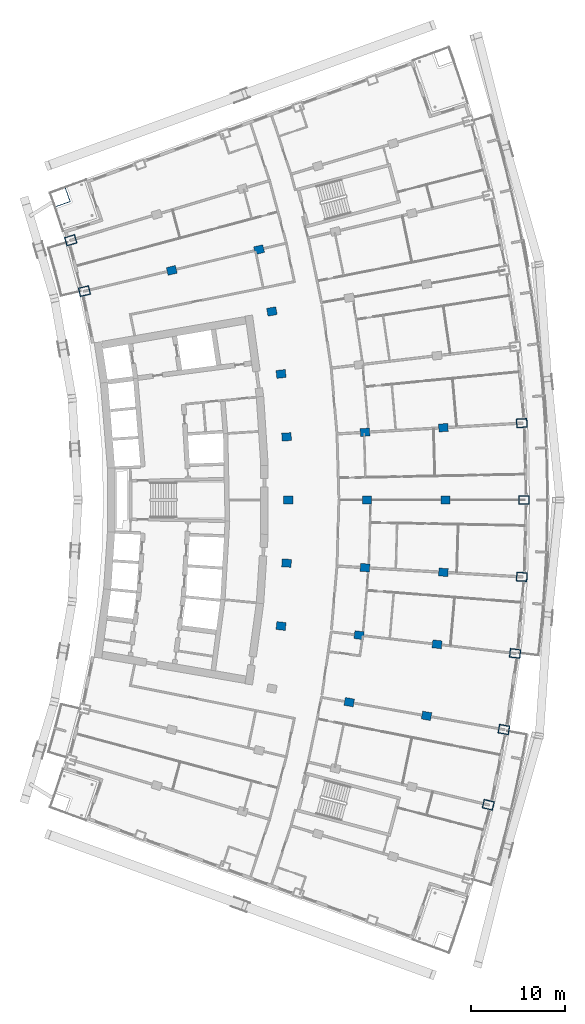
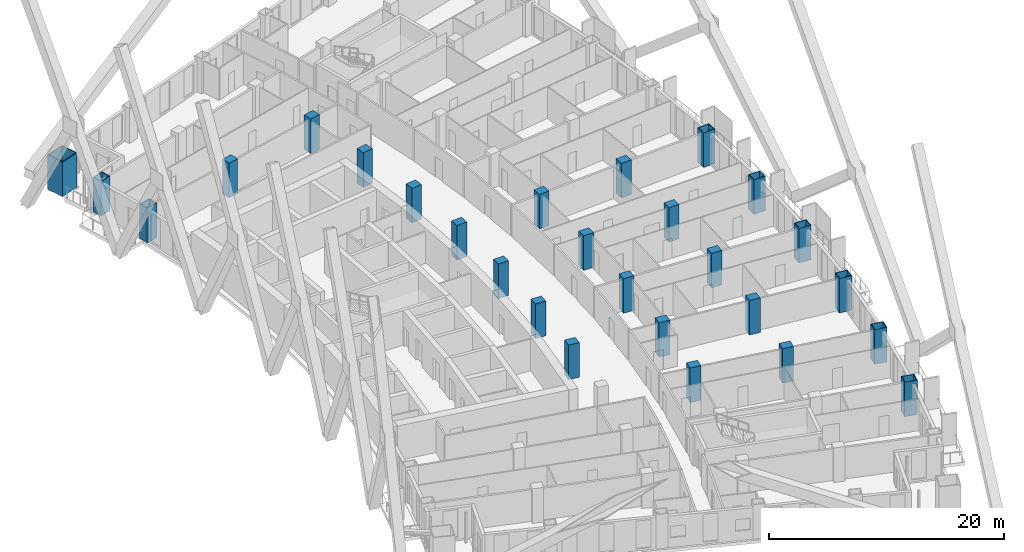
# One storey, part 5 of 24: 27 columns.
"""IFC4 building model written with IfcOpenShell, lengths in metres."""

from ifc_helpers import new_model, si_unit, direction, frame, origin, origin_2d, place, context, subcontext, project, spatial, rectangle, hollow_rectangle, extrude, material, material_profile, profile_set, type_object, element, save


model = new_model("IFC4")

# Units and contexts
model_context = context("Model", 3, precision=1e-05, world=origin(), true_north=direction((0.0, 1.0)))
body_context = subcontext(model_context, "Body", "Model", "MODEL_VIEW")
ifc_project = project(units=[si_unit("LENGTHUNIT", "METRE"), si_unit("AREAUNIT", "SQUARE_METRE"), si_unit("VOLUMEUNIT", "CUBIC_METRE"), si_unit("PLANEANGLEUNIT", "RADIAN"), si_unit("MASSUNIT", "GRAM", prefix="KILO")], contexts=[model_context])

# Site, building, storey
site_placement = place(None, origin())
site = spatial("IfcSite", under=ifc_project, at=site_placement, CompositionType="ELEMENT")
building_placement = place(site_placement, origin())
building = spatial("IfcBuilding", under=site, at=building_placement, Name="Alderwake Tower", CompositionType="ELEMENT")
storey_placement = place(building_placement, frame((0.0, 0.0, 104.0)))
storey = spatial("IfcBuildingStorey", under=building, at=storey_placement, Name="L25", CompositionType="ELEMENT", Elevation=104.0)

# Columns
ifc_material_1 = material(Name="Concrete C70/85", Category="concrete")
ifc_material_profile_1 = material_profile(ifc_material_1, rectangle(XDim=0.85009765625, YDim=1.0, at=origin_2d()), Name="RC 1000X850")
ifc_profile_set_1 = profile_set([ifc_material_profile_1], Name="Concrete C70/85")
column_type_1 = type_object("IfcColumnType", Name="Interior column Z2", PredefinedType="COLUMN", material=ifc_profile_set_1)
for number, where, z_axis, x_axis, name in (
    (1, (42.302978515625, 39.375732421875, 0.0), (0.0, 0.0, 1.0), (0.174108800747, 0.984726421654, 0.0), "Column R04-C3"),
    (2, (50.57470703125, 37.913330078125, 0.0), (0.0, 0.0, 1.0), (0.174107082075, 0.984726725529, 0.0), "Column R04-C4"),
    (3, (35.0126953125, 47.5205078125, 0.0), (0.0, 0.0, 1.0), (0.116402054316, 0.993202175668, 0.0), "Column R05-C2"),
    (4, (43.355712890625, 46.542724609375, 0.0), (0.0, 0.0, 1.0), (0.116402054316, 0.993202175668, 0.0), "Column R05-C3"),
    (5, (51.698486328125, 45.565185546875, 0.0), (0.0, 0.0, 1.0), (0.116402054316, 0.993202175668, 0.0), "Column R05-C4"),
    (6, (35.60302734375, 54.248779296875, 0.0), (0.0, 0.0, 1.0), (0.058301061284, 0.998299046505, 0.0), "Column R06-C2"),
    (7, (43.98876953125, 53.759033203125, 0.0), (0.0, 0.0, 1.0), (0.058301061284, 0.998299046505, 0.0), "Column R06-C3"),
    (8, (52.37451171875, 53.269287109375, 0.0), (0.0, 0.0, 1.0), (0.058299318924, 0.998299148258, 0.0), "Column R06-C4"),
    (9, (35.800048828125, 61.0, 0.0), (0.0, 0.0, 1.0), (0.0, 1.0, 0.0), "Column R07-C2"),
    (10, (44.199951171875, 61.0, 0.0), (0.0, 0.0, 1.0), (0.0, 1.0, 0.0), "Column R07-C3"),
    (11, (52.60009765625, 61.0, 0.0), (0.0, 0.0, 1.0), (0.0, 1.0, 0.0), "Column R07-C4"),
    (12, (35.60302734375, 67.751220703125, 0.0), (0.0, 0.0, 1.0), (-0.058301061284, 0.998299046505, 0.0), "Column R08-C2"),
    (13, (43.98876953125, 68.240966796875, 0.0), (0.0, 0.0, 1.0), (-0.058301061284, 0.998299046505, 0.0), "Column R08-C3"),
    (14, (52.37451171875, 68.730712890625, 0.0), (0.0, 0.0, 1.0), (-0.058299318924, 0.998299148258, 0.0), "Column R08-C4"),
    (15, (35.0126953125, 74.4794921875, 0.0), (0.0, 0.0, 1.0), (-0.116402054316, 0.993202175668, 0.0), "Column R09-C2"),
    (16, (34.03125, 81.16162109375, 0.0), (0.0, 0.0, 1.0), (-0.174108800747, 0.984726421654, 0.0), "Column R10-C2"),
    (17, (23.322021484375, 85.555908203125, 0.0), (0.0, 0.0, 1.0), (-0.231221547198, 0.972901123502, 0.0), "Column R11-C1"),
    (18, (32.661865234375, 87.775390625, 0.0), (0.0, 0.0, 1.0), (-0.231221547198, 0.972901123502, 0.0), "Column R11-C2"),
):
    element("IfcColumn", number, at=place(storey_placement, frame(where, z_axis=z_axis, x_axis=x_axis)), inside=storey, type_object=column_type_1, Name=name, PredefinedType="COLUMN", context=body_context, shape_type="SweptSolid", body=[
        extrude(rectangle(XDim=0.85009765625, YDim=1.0, at=origin_2d()), origin(), (0.0, 0.0, 1.0), 3.60009765625),
    ])
ifc_material_2 = material(Name="Steel ASTM A572 Grade 50 concrete filled C70/85", Category="concrete")
ifc_material_profile_2 = material_profile(ifc_material_2, hollow_rectangle(XDim=1.699951171875, YDim=1.89990234375, WallThickness=0.0849609375, at=origin_2d()), Name="BOX 1900X1700X85")
ifc_profile_set_2 = profile_set([ifc_material_profile_2], Name="Steel ASTM A572 Grade 50 concrete filled C70/85")
column_type_2 = type_object("IfcColumnType", Name="Mega column Z2", PredefinedType="COLUMN", material=ifc_profile_set_2)
column_placement = place(storey_placement, frame((11.330810546875, 93.377197265625, 0.0), z_axis=(0.0, 0.0, 1.0), x_axis=(-0.334130947791, 0.942526662609, 0.0)))
element("IfcColumn", 19, at=column_placement, inside=storey, type_object=column_type_2, Name="Column R13-C0", PredefinedType="COLUMN", context=body_context, shape_type="SweptSolid", body=[
    extrude(hollow_rectangle(XDim=1.699951171875, YDim=1.89990234375, WallThickness=0.0849609375, at=origin_2d()), origin(), (0.0, 0.0, 1.0), 3.60009765625),
])
ifc_material_3 = material(Name="Steel ASTM A572 Grade 50 concrete filled C70/85", Category="concrete")
ifc_material_profile_3 = material_profile(ifc_material_3, hollow_rectangle(XDim=0.949951171875, YDim=1.14990234375, WallThickness=0.06005859375, at=origin_2d()), Name="BOX 1150X950X60")
ifc_profile_set_3 = profile_set([ifc_material_profile_3], Name="Steel ASTM A572 Grade 50 concrete filled C70/85")
column_type_3 = type_object("IfcColumnType", Name="Perimeter column Z2", PredefinedType="COLUMN", material=ifc_profile_set_3)
for number, where, z_axis, x_axis, name in (
    (20, (57.178955078125, 28.397705078125, 0.0), (0.0, 0.0, 1.0), (0.231221547198, 0.972901123502, 0.0), "Column R03-C5"),
    (21, (58.846435546875, 36.45068359375, 0.0), (0.0, 0.0, 1.0), (0.174107082075, 0.984726725529, 0.0), "Column R04-C5"),
    (22, (60.04150390625, 44.58740234375, 0.0), (0.0, 0.0, 1.0), (0.116402054316, 0.993202175668, 0.0), "Column R05-C5"),
    (23, (60.76025390625, 52.77978515625, 0.0), (0.0, 0.0, 1.0), (0.058299318924, 0.998299148258, 0.0), "Column R06-C5"),
    (24, (61.0, 61.0, 0.0), (0.0, 0.0, 1.0), (0.0, 1.0, 0.0), "Column R07-C5"),
    (25, (60.76025390625, 69.22021484375, 0.0), (0.0, 0.0, 1.0), (-0.058299318924, 0.998299148258, 0.0), "Column R08-C5"),
    (26, (13.982177734375, 83.3359375, 0.0), (0.0, 0.0, 1.0), (-0.231221547198, 0.972901123502, 0.0), "Column R11-C0"),
    (27, (12.520263671875, 88.777099609375, 0.0), (0.0, 0.0, 1.0), (-0.287549418125, 0.957765802342, 0.0), "Column R12-C0"),
):
    element("IfcColumn", number, at=place(storey_placement, frame(where, z_axis=z_axis, x_axis=x_axis)), inside=storey, type_object=column_type_3, Name=name, PredefinedType="COLUMN", context=body_context, shape_type="SweptSolid", body=[
        extrude(hollow_rectangle(XDim=0.949951171875, YDim=1.14990234375, WallThickness=0.06005859375, at=origin_2d()), origin(), (0.0, 0.0, 1.0), 3.60009765625),
    ])

save(model, "model.ifc")
